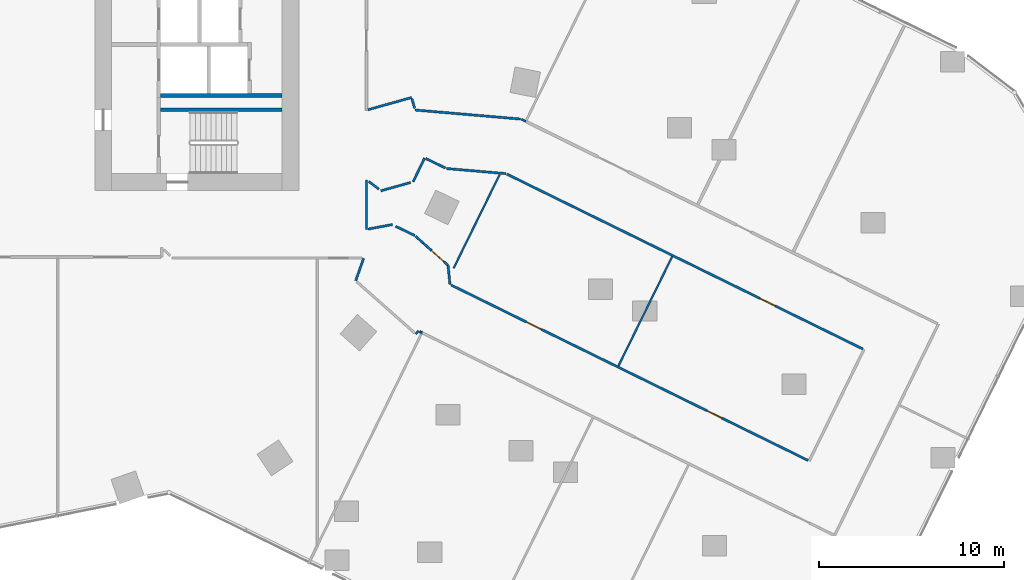
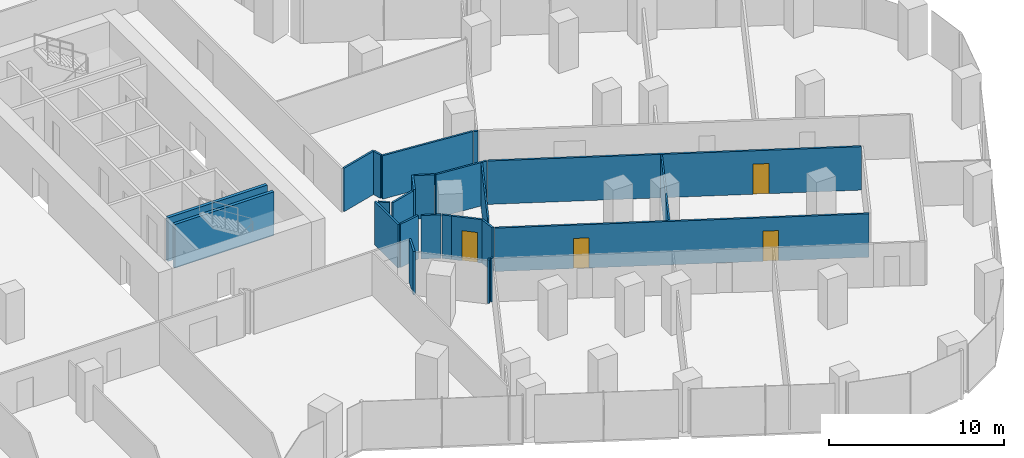
# One storey, part 30 of 38: 24 walls, 4 doors, 4 openings.
"""IFC4 building model written with IfcOpenShell, lengths in metres."""

from ifc_helpers import new_model, si_unit, direction, frame, frame_2d, origin, place, context, subcontext, project, spatial, rectangle, extrude, material, layer, layer_set, type_object, element, fill, save


model = new_model("IFC4")

# Units and contexts
model_context = context("Model", 3, precision=1e-05, world=origin(), true_north=direction((0.0, 1.0)))
body_context = subcontext(model_context, "Body", "Model", "MODEL_VIEW")
ifc_project = project(units=[si_unit("LENGTHUNIT", "METRE"), si_unit("AREAUNIT", "SQUARE_METRE"), si_unit("VOLUMEUNIT", "CUBIC_METRE"), si_unit("PLANEANGLEUNIT", "RADIAN"), si_unit("MASSUNIT", "GRAM", prefix="KILO")], contexts=[model_context])

# Site, building, storey
site_placement = place(None, origin())
site = spatial("IfcSite", under=ifc_project, at=site_placement, CompositionType="ELEMENT")
building_placement = place(site_placement, origin())
building = spatial("IfcBuilding", under=site, at=building_placement, Name="Orlundy Tower", CompositionType="ELEMENT")
storey_placement = place(building_placement, frame((0.0, 0.0, 72.800048828125)))
storey = spatial("IfcBuildingStorey", under=building, at=storey_placement, Name="L17", CompositionType="ELEMENT", Elevation=72.800048828125)

# Walls
ifc_material_1 = material(Name="Gypsum board partition")
ifc_layer_1 = layer(ifc_material_1, 0.10009765625)
ifc_layer_set_1 = layer_set([ifc_layer_1], Name="Floor partition 100")
wall_type_1 = type_object("IfcWallType", Name="Floor partition 100", PredefinedType="PARTITIONING", material=ifc_layer_set_1)
wall_1_placement = place(storey_placement, frame((36.24609375, -21.471923828125, 0.0), z_axis=(0.0, 0.0, 1.0), x_axis=(0.440934319879, 0.897539372703, 0.0)))
element("IfcWall", 1, at=wall_1_placement, inside=storey, type_object=wall_type_1, Name="wall-int-L17-075", PredefinedType="PARTITIONING", context=body_context, shape_type="SweptSolid", body=[
    extrude(rectangle(XDim=6.574462890625, YDim=0.10009765625, at=frame_2d((3.287109375, 0.0))), origin(), (0.0, 0.0, 1.0), 3.030029296875),
])
wall_2_placement = place(storey_placement, frame((27.34912109375, -16.2060546875, 0.0), z_axis=(0.0, 0.0, 1.0), x_axis=(0.441071560189, 0.897471937607, 0.0)))
element("IfcWall", 2, at=wall_2_placement, inside=storey, type_object=wall_type_1, Name="wall-int-L17-078", PredefinedType="PARTITIONING", context=body_context, shape_type="SweptSolid", body=[
    extrude(rectangle(XDim=5.63818359375, YDim=0.10009765625, at=frame_2d((2.819091796875, 0.0))), origin(), (0.0, 0.0, 1.0), 3.030029296875),
])
ifc_material_2 = material(Name="Gypsum board partition, double layer")
ifc_layer_2 = layer(ifc_material_2, 0.125)
ifc_layer_set_2 = layer_set([ifc_layer_2], Name="Floor partition 125")
wall_type_2 = type_object("IfcWallType", Name="Floor partition 125", PredefinedType="PARTITIONING", material=ifc_layer_set_2)
wall_3_placement = place(storey_placement, frame((25.10400390625, -7.048095703125, 0.0), z_axis=(0.0, 0.0, 1.0), x_axis=(0.268702664175, -0.963223171578, 0.0)))
element("IfcWall", 3, at=wall_3_placement, inside=storey, type_object=wall_type_2, Name="wall-int-L17-002", PredefinedType="PARTITIONING", context=body_context, shape_type="SweptSolid", body=[
    extrude(rectangle(XDim=0.546875, YDim=0.125, at=frame_2d((0.2734375, 0.0))), origin(), (0.0, 0.0, 1.0), 3.030029296875),
])

# Wall, opening, door
wall_4_placement = place(storey_placement, frame((25.719970703125, -14.84912109375, 0.0), z_axis=(0.0, 0.0, 1.0), x_axis=(0.744891794115, -0.667185292899, 0.0)))
wall_4 = element("IfcWall", 4, at=wall_4_placement, inside=storey, type_object=wall_type_2, Name="wall-int-L17-007", PredefinedType="PARTITIONING", context=body_context, shape_type="SweptSolid", body=[
    extrude(rectangle(XDim=1.790771484375, YDim=0.125, at=frame_2d((0.8955078125, 0.0))), origin(), (0.0, 0.0, 1.0), 3.030029296875),
])
opening_1_placement = place(wall_4_placement, frame((0.60009765625, 0.0, 0.0)))
opening_1 = element("IfcOpeningElement", 5, at=opening_1_placement, cuts=wall_4, Name="Opening 14130", PredefinedType="OPENING", context=body_context, shape_type="SweptSolid", body=[
    extrude(rectangle(XDim=0.89990234375, YDim=2.10009765625, at=frame_2d((0.449951171875, 1.050048828125))), frame((0.0, 0.072509765625, 0.0), z_axis=(0.0, -1.0, 0.0), x_axis=(1.0, 0.0, 0.0)), (0.0, 0.0, 1.0), 0.14501953125),
])
ifc_material_3 = material(Name="Timber door leaf", Category="wood")
door_type = type_object("IfcDoorType", Name="Floor door single 900 FD30S", OperationType="NOTDEFINED", PredefinedType="DOOR", material=ifc_material_3)
door_1_placement = place(opening_1_placement, origin())
door_1 = element("IfcDoor", 6, at=door_1_placement, inside=storey, type_object=door_type, Name="Door 14130", OperationType="SINGLE_SWING_RIGHT", OverallHeight=2.10009765625, OverallWidth=0.89990234375, PredefinedType="DOOR", context=body_context, shape_type="SweptSolid", body=[
    extrude(rectangle(XDim=0.89990234375, YDim=2.10009765625, at=frame_2d((0.449951171875, 1.050048828125))), frame((0.0, 0.02490234375, 0.0), z_axis=(0.0, -1.0, 0.0), x_axis=(1.0, 0.0, 0.0)), (0.0, 0.0, 1.0), 0.050048828125),
])
fill(opening_1, door_1)

# Walls
wall_5_placement = place(storey_placement, frame((25.302001953125, -14.47509765625, 0.0), z_axis=(0.0, 0.0, 1.0), x_axis=(0.745195775022, -0.666845751947, 0.0)))
element("IfcWall", 7, at=wall_5_placement, inside=storey, type_object=wall_type_2, Name="wall-int-L17-008", PredefinedType="PARTITIONING", context=body_context, shape_type="SweptSolid", body=[
    extrude(rectangle(XDim=0.560791015625, YDim=0.125, at=frame_2d((0.2802734375, 0.0))), origin(), (0.0, 0.0, 1.0), 3.030029296875),
])
wall_6_placement = place(storey_placement, frame((22.76806640625, -11.513916015625, 0.0), z_axis=(0.0, 0.0, 1.0), x_axis=(0.797092148154, -0.603857687995, 0.0)))
element("IfcWall", 8, at=wall_6_placement, inside=storey, type_object=wall_type_2, Name="wall-int-L17-025", PredefinedType="PARTITIONING", context=body_context, shape_type="SweptSolid", body=[
    extrude(rectangle(XDim=0.687255859375, YDim=0.125, at=frame_2d((0.34375, 0.0))), origin(), (0.0, 0.0, 1.0), 3.030029296875),
])
wall_7_placement = place(storey_placement, frame((25.532958984375, -19.62109375, 0.0), z_axis=(0.0, 0.0, 1.0), x_axis=(0.896388597083, -0.44326908647, 0.0)))
element("IfcWall", 9, at=wall_7_placement, inside=storey, type_object=wall_type_2, Name="wall-int-L17-027", PredefinedType="PARTITIONING", context=body_context, shape_type="SweptSolid", body=[
    extrude(rectangle(XDim=0.1240234375, YDim=0.125, at=frame_2d((0.06201171875, 0.0))), origin(), (0.0, 0.0, 1.0), 3.030029296875),
])

# Wall, openings, doors
wall_8_placement = place(storey_placement, frame((27.22802734375, -17.110107421875, 0.0), z_axis=(0.0, 0.0, 1.0), x_axis=(0.897483206538, -0.441048629952, 0.0)))
wall_8 = element("IfcWall", 10, at=wall_8_placement, inside=storey, type_object=wall_type_2, Name="wall-int-L17-029", PredefinedType="PARTITIONING", context=body_context, shape_type="SweptSolid", body=[
    extrude(rectangle(XDim=21.453125, YDim=0.125, at=frame_2d((10.7265625, 0.0))), origin(), (0.0, 0.0, 1.0), 3.030029296875),
])
opening_2_placement = place(wall_8_placement, frame((4.517578125, 0.0, 0.0)))
opening_2 = element("IfcOpeningElement", 11, at=opening_2_placement, cuts=wall_8, Name="Opening 14101", PredefinedType="OPENING", context=body_context, shape_type="SweptSolid", body=[
    extrude(rectangle(XDim=0.89990234375, YDim=2.10009765625, at=frame_2d((0.449951171875, 1.050048828125))), frame((0.0, 0.072509765625, 0.0), z_axis=(0.0, -1.0, 0.0), x_axis=(1.0, 0.0, 0.0)), (0.0, 0.0, 1.0), 0.14501953125),
])
opening_3_placement = place(wall_8_placement, frame((15.36669921875, 0.0, 0.0)))
opening_3 = element("IfcOpeningElement", 12, at=opening_3_placement, cuts=wall_8, Name="Opening 14104", PredefinedType="OPENING", context=body_context, shape_type="SweptSolid", body=[
    extrude(rectangle(XDim=0.89990234375, YDim=2.10009765625, at=frame_2d((0.449951171875, 1.050048828125))), frame((0.0, 0.072509765625, 0.0), z_axis=(0.0, -1.0, 0.0), x_axis=(1.0, 0.0, 0.0)), (0.0, 0.0, 1.0), 0.14501953125),
])
door_2_placement = place(opening_2_placement, origin())
door_2 = element("IfcDoor", 13, at=door_2_placement, inside=storey, type_object=door_type, Name="Door 14101", OperationType="SINGLE_SWING_LEFT", OverallHeight=2.10009765625, OverallWidth=0.89990234375, PredefinedType="DOOR", context=body_context, shape_type="SweptSolid", body=[
    extrude(rectangle(XDim=0.89990234375, YDim=2.10009765625, at=frame_2d((0.449951171875, 1.050048828125))), frame((0.0, 0.02490234375, 0.0), z_axis=(0.0, -1.0, 0.0), x_axis=(1.0, 0.0, 0.0)), (0.0, 0.0, 1.0), 0.050048828125),
])
fill(opening_2, door_2)
door_3_placement = place(opening_3_placement, origin())
door_3 = element("IfcDoor", 14, at=door_3_placement, inside=storey, type_object=door_type, Name="Door 14104", OperationType="SINGLE_SWING_RIGHT", OverallHeight=2.10009765625, OverallWidth=0.89990234375, PredefinedType="DOOR", context=body_context, shape_type="SweptSolid", body=[
    extrude(rectangle(XDim=0.89990234375, YDim=2.10009765625, at=frame_2d((0.449951171875, 1.050048828125))), frame((0.0, 0.02490234375, 0.0), z_axis=(0.0, -1.0, 0.0), x_axis=(1.0, 0.0, 0.0)), (0.0, 0.0, 1.0), 0.050048828125),
])
fill(opening_3, door_3)

# Wall, opening, door
wall_9_placement = place(storey_placement, frame((49.43798828125, -20.55810546875, 0.0), z_axis=(0.0, 0.0, 1.0), x_axis=(-0.897535791299, 0.440941609896, 0.0)))
wall_9 = element("IfcWall", 15, at=wall_9_placement, inside=storey, type_object=wall_type_2, Name="wall-int-L17-031", PredefinedType="PARTITIONING", context=body_context, shape_type="SweptSolid", body=[
    extrude(rectangle(XDim=21.399658203125, YDim=0.125, at=frame_2d((10.69970703125, 0.0))), origin(), (0.0, 0.0, 1.0), 3.030029296875),
])
opening_4_placement = place(wall_9_placement, frame((5.28759765625, 0.0, 0.0)))
opening_4 = element("IfcOpeningElement", 16, at=opening_4_placement, cuts=wall_9, Name="Opening 14105", PredefinedType="OPENING", context=body_context, shape_type="SweptSolid", body=[
    extrude(rectangle(XDim=0.89990234375, YDim=2.10009765625, at=frame_2d((0.449951171875, 1.050048828125))), frame((0.0, 0.072509765625, 0.0), z_axis=(0.0, -1.0, 0.0), x_axis=(1.0, 0.0, 0.0)), (0.0, 0.0, 1.0), 0.14501953125),
])
door_4_placement = place(opening_4_placement, origin())
door_4 = element("IfcDoor", 17, at=door_4_placement, inside=storey, type_object=door_type, Name="Door 14105", OperationType="SINGLE_SWING_LEFT", OverallHeight=2.10009765625, OverallWidth=0.89990234375, PredefinedType="DOOR", context=body_context, shape_type="SweptSolid", body=[
    extrude(rectangle(XDim=0.89990234375, YDim=2.10009765625, at=frame_2d((0.449951171875, 1.050048828125))), frame((0.0, 0.02490234375, 0.0), z_axis=(0.0, -1.0, 0.0), x_axis=(1.0, 0.0, 0.0)), (0.0, 0.0, 1.0), 0.050048828125),
])
fill(opening_4, door_4)

# Walls
wall_10_placement = place(storey_placement, frame((31.007080078125, -8.158935546875, 0.0), z_axis=(0.0, 0.0, 1.0), x_axis=(0.898247549427, -0.439489863305, 0.0)))
element("IfcWall", 18, at=wall_10_placement, inside=storey, type_object=wall_type_2, Name="wall-int-L17-035", PredefinedType="PARTITIONING", context=body_context, shape_type="SweptSolid", body=[
    extrude(rectangle(XDim=0.26611328125, YDim=0.125, at=frame_2d((0.133056640625, 0.0))), origin(), (0.0, 0.0, 1.0), 3.030029296875),
])
wall_11_placement = place(storey_placement, frame((24.219970703125, -13.93310546875, 0.0), z_axis=(0.0, 0.0, 1.0), x_axis=(0.900419681582, -0.435022294853, 0.0)))
element("IfcWall", 19, at=wall_11_placement, inside=storey, type_object=wall_type_2, Name="wall-int-L17-036", PredefinedType="PARTITIONING", context=body_context, shape_type="SweptSolid", body=[
    extrude(rectangle(XDim=1.1494140625, YDim=0.125, at=frame_2d((0.57470703125, 0.0))), origin(), (0.0, 0.0, 1.0), 3.030029296875),
])
wall_12_placement = place(storey_placement, frame((25.844970703125, -10.27587890625, 0.0), z_axis=(0.0, 0.0, 1.0), x_axis=(0.900044500098, -0.435798001193, 0.0)))
element("IfcWall", 20, at=wall_12_placement, inside=storey, type_object=wall_type_2, Name="wall-int-L17-037", PredefinedType="PARTITIONING", context=body_context, shape_type="SweptSolid", body=[
    extrude(rectangle(XDim=1.184326171875, YDim=0.125, at=frame_2d((0.59228515625, 0.0))), origin(), (0.0, 0.0, 1.0), 3.030029296875),
])
wall_13_placement = place(storey_placement, frame((26.967041015625, -10.819091796875, 0.0), z_axis=(0.0, 0.0, 1.0), x_axis=(0.99634849222, -0.085379634874, 0.0)))
element("IfcWall", 21, at=wall_13_placement, inside=storey, type_object=wall_type_2, Name="wall-int-L17-042", PredefinedType="PARTITIONING", context=body_context, shape_type="SweptSolid", body=[
    extrude(rectangle(XDim=3.2197265625, YDim=0.125, at=frame_2d((1.60986328125, 0.0))), origin(), (0.0, 0.0, 1.0), 3.030029296875),
])
wall_14_placement = place(storey_placement, frame((25.27490234375, -7.662109375, 0.0), z_axis=(0.0, 0.0, 1.0), x_axis=(0.996348730604, -0.085376852979, 0.0)))
element("IfcWall", 22, at=wall_14_placement, inside=storey, type_object=wall_type_2, Name="wall-int-L17-043", PredefinedType="PARTITIONING", context=body_context, shape_type="SweptSolid", body=[
    extrude(rectangle(XDim=5.701904296875, YDim=0.125, at=frame_2d((2.85107421875, 0.0))), origin(), (0.0, 0.0, 1.0), 3.030029296875),
])
wall_15_placement = place(storey_placement, frame((22.72900390625, -14.087890625, 0.0), z_axis=(0.0, 0.0, 1.0), x_axis=(0.983144472478, 0.182830375584, 0.0)))
element("IfcWall", 23, at=wall_15_placement, inside=storey, type_object=wall_type_2, Name="wall-int-L17-055", PredefinedType="PARTITIONING", context=body_context, shape_type="SweptSolid", body=[
    extrude(rectangle(XDim=1.3447265625, YDim=0.125, at=frame_2d((0.67236328125, 0.0))), origin(), (0.0, 0.0, 1.0), 3.030029296875),
])
wall_16_placement = place(storey_placement, frame((23.427978515625, -12.02099609375, 0.0), z_axis=(0.0, 0.0, 1.0), x_axis=(0.963114320188, 0.269092560745, 0.0)))
element("IfcWall", 24, at=wall_16_placement, inside=storey, type_object=wall_type_2, Name="wall-int-L17-056", PredefinedType="PARTITIONING", context=body_context, shape_type="SweptSolid", body=[
    extrude(rectangle(XDim=1.66845703125, YDim=0.125, at=frame_2d((0.834228515625, 0.0))), origin(), (0.0, 0.0, 1.0), 3.030029296875),
])
wall_17_placement = place(storey_placement, frame((22.72998046875, -7.64697265625, 0.0), z_axis=(0.0, 0.0, 1.0), x_axis=(0.9630417148, 0.269352288937, 0.0)))
element("IfcWall", 25, at=wall_17_placement, inside=storey, type_object=wall_type_2, Name="wall-int-L17-057", PredefinedType="PARTITIONING", context=body_context, shape_type="SweptSolid", body=[
    extrude(rectangle(XDim=2.4462890625, YDim=0.125, at=frame_2d((1.22314453125, 0.0))), origin(), (0.0, 0.0, 1.0), 3.030029296875),
])
wall_18_placement = place(storey_placement, frame((27.154052734375, -17.073974609375, 0.0), z_axis=(0.0, 0.0, 1.0), x_axis=(-0.09672377766, 0.995311263292, 0.0)))
element("IfcWall", 26, at=wall_18_placement, inside=storey, type_object=wall_type_2, Name="wall-int-L17-062", PredefinedType="PARTITIONING", context=body_context, shape_type="SweptSolid", body=[
    extrude(rectangle(XDim=1.034912109375, YDim=0.125, at=frame_2d((0.517578125, 0.0))), origin(), (0.0, 0.0, 1.0), 3.030029296875),
])
wall_19_placement = place(storey_placement, frame((25.31396484375, -19.7470703125, 0.0), z_axis=(0.0, 0.0, 1.0), x_axis=(0.666729237328, 0.745300022872, 0.0)))
element("IfcWall", 27, at=wall_19_placement, inside=storey, type_object=wall_type_2, Name="wall-int-L17-063", PredefinedType="PARTITIONING", context=body_context, shape_type="SweptSolid", body=[
    extrude(rectangle(XDim=0.217529296875, YDim=0.125, at=frame_2d((0.10888671875, 0.0))), origin(), (0.0, 0.0, 1.0), 3.030029296875),
])
wall_20_placement = place(storey_placement, frame((25.16796875, -11.533935546875, 0.0), z_axis=(0.0, 0.0, 1.0), x_axis=(0.435198706136, 0.900334430186, 0.0)))
element("IfcWall", 28, at=wall_20_placement, inside=storey, type_object=wall_type_2, Name="wall-int-L17-081", PredefinedType="PARTITIONING", context=body_context, shape_type="SweptSolid", body=[
    extrude(rectangle(XDim=1.42724609375, YDim=0.125, at=frame_2d((0.713623046875, 0.0))), origin(), (0.0, 0.0, 1.0), 3.030029296875),
])
wall_21_placement = place(storey_placement, frame((22.072021484375, -16.867919921875, 0.0), z_axis=(0.0, 0.0, 1.0), x_axis=(0.332590805705, 0.943071235889, 0.0)))
element("IfcWall", 29, at=wall_21_placement, inside=storey, type_object=wall_type_2, Name="wall-int-L17-086", PredefinedType="PARTITIONING", context=body_context, shape_type="SweptSolid", body=[
    extrude(rectangle(XDim=1.281005859375, YDim=0.125, at=frame_2d((0.640625, 0.0))), origin(), (0.0, 0.0, 1.0), 3.030029296875),
])
wall_22_placement = place(storey_placement, frame((22.65087890625, -14.10302734375, 0.0), z_axis=(0.0, 0.0, 1.0), x_axis=(0.0, 1.0, 0.0)))
element("IfcWall", 30, at=wall_22_placement, inside=storey, type_object=wall_type_2, Name="wall-int-L17-091", PredefinedType="PARTITIONING", context=body_context, shape_type="SweptSolid", body=[
    extrude(rectangle(XDim=2.671142578125, YDim=0.125, at=frame_2d((1.33544921875, 0.0))), origin(), (0.0, 0.0, 1.0), 3.030029296875),
])
ifc_material_4 = material(Name="Concrete C40/50", Category="concrete")
ifc_layer_3 = layer(ifc_material_4, 0.199951171875)
ifc_layer_set_3 = layer_set([ifc_layer_3], Name="Load-bearing Shaft Wall 200")
wall_type_3 = type_object("IfcWallType", Name="Load-bearing Shaft Wall 200", PredefinedType="SOLIDWALL", material=ifc_layer_set_3)
wall_23_placement = place(storey_placement, frame((11.5400390625, -7.64990234375, 0.0), z_axis=(0.0, 0.0, 1.0), x_axis=(1.0, 0.0, 0.0)))
element("IfcWall", 31, at=wall_23_placement, inside=storey, type_object=wall_type_3, Name="Shaft wall E14-stair-side-n", PredefinedType="SOLIDWALL", context=body_context, shape_type="SweptSolid", body=[
    extrude(rectangle(XDim=6.56005859375, YDim=0.199951171875, at=frame_2d((3.280029296875, 0.0))), origin(), (0.0, 0.0, 1.0), 3.050048828125),
])
ifc_material_5 = material(Name="Fire-rated blockwork shaft wall", Category="masonry")
ifc_layer_4 = layer(ifc_material_5, 0.199951171875)
ifc_layer_set_4 = layer_set([ifc_layer_4], Name="Shaft Wall 200")
wall_type_4 = type_object("IfcWallType", Name="Shaft Wall 200", PredefinedType="SOLIDWALL", material=ifc_layer_set_4)
wall_24_placement = place(storey_placement, frame((11.5400390625, -6.875, 0.0), z_axis=(0.0, 0.0, 1.0), x_axis=(1.0, 0.0, 0.0)))
element("IfcWall", 32, at=wall_24_placement, inside=storey, type_object=wall_type_4, Name="Shaft wall E14-zone-n", PredefinedType="SOLIDWALL", context=body_context, shape_type="SweptSolid", body=[
    extrude(rectangle(XDim=6.56005859375, YDim=0.199951171875, at=frame_2d((3.280029296875, 0.0))), origin(), (0.0, 0.0, 1.0), 3.050048828125),
])

save(model, "model.ifc")
